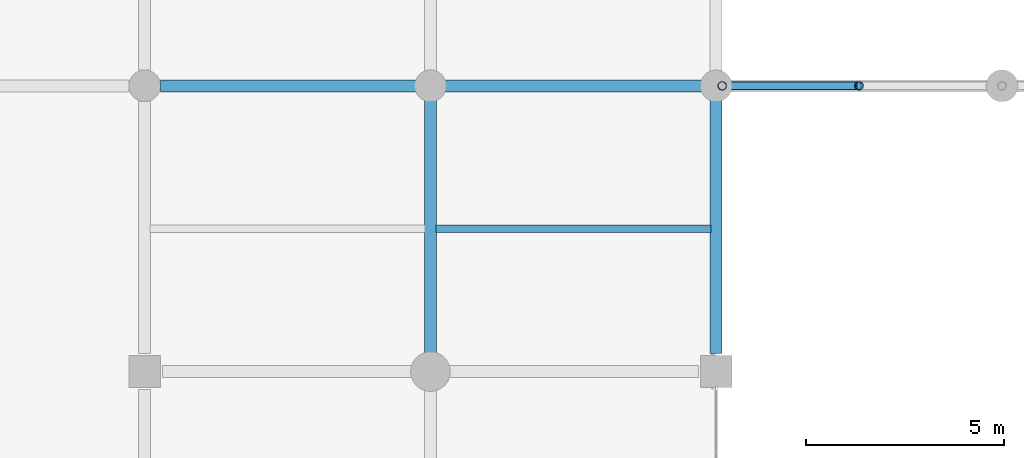
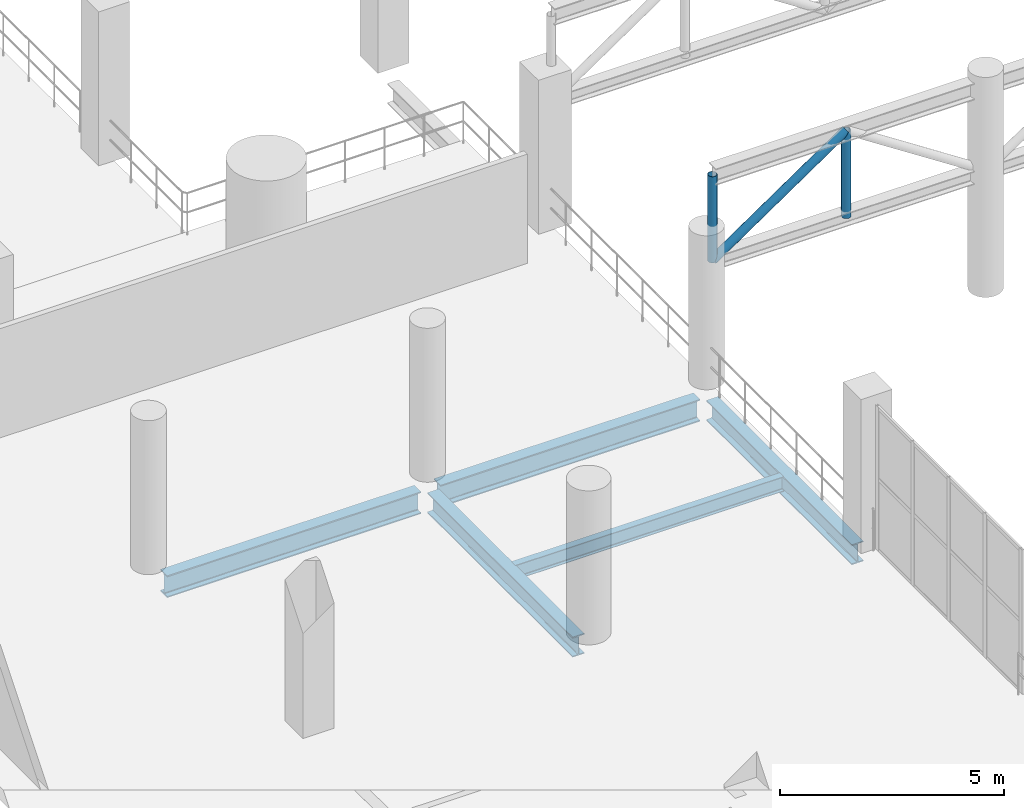
# One storey, part 57 of 153: 5 beams, 3 members.
"""IFC4 building model written with IfcOpenShell, lengths in metres."""

from ifc_helpers import new_model, si_unit, direction, frame, origin, origin_2d, place, context, subcontext, project, spatial, hollow_circle, i_section, extrude, material, material_profile, profile_set, type_object, element, save


model = new_model("IFC4")

# Units and contexts
model_context = context("Model", 3, precision=1e-05, world=origin(), true_north=direction((0.0, 1.0)))
body_context = subcontext(model_context, "Body", "Model", "MODEL_VIEW")
ifc_project = project(units=[si_unit("LENGTHUNIT", "METRE"), si_unit("AREAUNIT", "SQUARE_METRE"), si_unit("VOLUMEUNIT", "CUBIC_METRE"), si_unit("PLANEANGLEUNIT", "RADIAN"), si_unit("MASSUNIT", "GRAM", prefix="KILO")], contexts=[model_context])

# Site, building, storey
site_placement = place(None, origin())
site = spatial("IfcSite", under=ifc_project, at=site_placement, CompositionType="ELEMENT")
building_placement = place(site_placement, origin())
building = spatial("IfcBuilding", under=site, at=building_placement, Name="Qandorah Velis Arena", CompositionType="ELEMENT")
storey_placement = place(building_placement, frame((0.0, 0.0, 5.39990234375)))
storey = spatial("IfcBuildingStorey", under=building, at=storey_placement, Name="L01", CompositionType="ELEMENT", Elevation=5.39990234375)

# Beams
ifc_material = material(Name="Steel S355", Category="steel")
ifc_material_profile_1 = material_profile(ifc_material, i_section(OverallWidth=0.300048828125, OverallDepth=0.550048828125, WebThickness=0.014892578125, FlangeThickness=0.029052734375, FilletRadius=0.027099609375, at=origin_2d()), Name="HEB 550")
ifc_profile_set_1 = profile_set([ifc_material_profile_1], Name="Steel S355")
beam_type_1 = type_object("IfcBeamType", Name="STR-BM-HEB550", PredefinedType="BEAM", material=ifc_profile_set_1)
for number, where, z_axis, x_axis, name in (
    (1, (115.199951171875, 86.85009765625, -0.635009765625), (0.0, 1.0, 0.0), (-1.0, 0.0, 0.0), "Primary floor girder L01 Y-388"),
    (2, (122.39990234375, 86.85009765625, -0.635009765625), (0.0, 1.0, 0.0), (-1.0, 0.0, 0.0), "Primary floor girder L01 Y-398"),
):
    element("IfcBeam", number, at=place(storey_placement, frame(where, z_axis=z_axis, x_axis=x_axis)), inside=storey, type_object=beam_type_1, Name=name, PredefinedType="BEAM", context=body_context, shape_type="SweptSolid", body=[
        extrude(i_section(OverallWidth=0.300048828125, OverallDepth=0.550048828125, WebThickness=0.014892578125, FlangeThickness=0.029052734375, FilletRadius=0.027099609375, at=origin_2d()), origin(), (0.0, 0.0, 1.0), 6.5),
    ])
ifc_material_profile_2 = material_profile(ifc_material, i_section(OverallWidth=0.300048828125, OverallDepth=0.60009765625, WebThickness=0.015380859375, FlangeThickness=0.030029296875, FilletRadius=0.027099609375, at=origin_2d()), Name="HEB 600")
ifc_profile_set_2 = profile_set([ifc_material_profile_2], Name="Steel S355")
beam_type_2 = type_object("IfcBeamType", Name="STR-BM-HEB600", PredefinedType="BEAM", material=ifc_profile_set_2)
beam_1_placement = place(storey_placement, frame((108.39990234375, 93.60009765625, -0.659912109375), z_axis=(1.0, 0.0, 0.0), x_axis=(0.0, 1.0, 0.0)))
element("IfcBeam", 3, at=beam_1_placement, inside=storey, type_object=beam_type_2, Name="Primary floor girder L01 X-142", PredefinedType="BEAM", context=body_context, shape_type="SweptSolid", body=[
    extrude(i_section(OverallWidth=0.300048828125, OverallDepth=0.60009765625, WebThickness=0.015380859375, FlangeThickness=0.030029296875, FilletRadius=0.027099609375, at=origin_2d()), origin(), (0.0, 0.0, 1.0), 6.550048828125),
])
beam_2_placement = place(storey_placement, frame((115.449951171875, 93.60009765625, -0.659912109375), z_axis=(1.0, 0.0, 0.0), x_axis=(0.0, 1.0, 0.0)))
element("IfcBeam", 4, at=beam_2_placement, inside=storey, type_object=beam_type_2, Name="Primary floor girder L01 X-143", PredefinedType="BEAM", context=body_context, shape_type="SweptSolid", body=[
    extrude(i_section(OverallWidth=0.300048828125, OverallDepth=0.60009765625, WebThickness=0.015380859375, FlangeThickness=0.030029296875, FilletRadius=0.027099609375, at=origin_2d()), origin(), (0.0, 0.0, 1.0), 6.699951171875),
])
ifc_material_profile_3 = material_profile(ifc_material, i_section(OverallWidth=0.179931640625, OverallDepth=0.39990234375, WebThickness=0.008544921875, FlangeThickness=0.013427734375, FilletRadius=0.02099609375, at=origin_2d()), Name="IPE 400")
ifc_profile_set_3 = profile_set([ifc_material_profile_3], Name="Steel S355")
beam_type_3 = type_object("IfcBeamType", Name="STR-JST-IPE400", PredefinedType="JOIST", material=ifc_profile_set_3)
beam_3_placement = place(storey_placement, frame((115.3349609375, 90.0, -0.559814453125), z_axis=(1.0, 0.0, 0.0), x_axis=(0.0, 1.0, 0.0)))
element("IfcBeam", 5, at=beam_3_placement, inside=storey, type_object=beam_type_3, Name="Secondary floor joist L01-135", PredefinedType="JOIST", context=body_context, shape_type="SweptSolid", body=[
    extrude(i_section(OverallWidth=0.179931640625, OverallDepth=0.39990234375, WebThickness=0.008544921875, FlangeThickness=0.013427734375, FilletRadius=0.02099609375, at=origin_2d()), origin(), (0.0, 0.0, 1.0), 6.929931640625),
])

# Members
ifc_material_profile_4 = material_profile(ifc_material, hollow_circle(Radius=0.109619140625, WallThickness=0.010009765625, at=origin_2d()), Name="CHS 219.1x10")
ifc_profile_set_4 = profile_set([ifc_material_profile_4], Name="Steel S355")
member_type = type_object("IfcMemberType", Name="STR-SFD-CHS219X10", PredefinedType="STRUT", material=ifc_profile_set_4)
member_1_placement = place(storey_placement, frame((122.550048828125, 93.60009765625, 3.205078125), z_axis=(0.0, 0.0, 1.0), x_axis=(1.0, 0.0, 0.0)))
element("IfcMember", 6, at=member_1_placement, inside=storey, type_object=member_type, Name="Practice court roof truss 1 vertical 1", PredefinedType="STRUT", context=body_context, shape_type="SweptSolid", body=[
    extrude(hollow_circle(Radius=0.109619140625, WallThickness=0.010009765625, at=origin_2d()), origin(), (0.0, 0.0, 1.0), 2.35009765625),
])
member_2_placement = place(storey_placement, frame((122.550048828125, 93.60009765625, 3.205078125), z_axis=(0.826466079645, 0.0, 0.562986517774), x_axis=(0.0, 1.0, 0.0)))
element("IfcMember", 7, at=member_2_placement, inside=storey, type_object=member_type, Name="Practice court roof truss 1 web diagonal 1", PredefinedType="STRUT", context=body_context, shape_type="SweptSolid", body=[
    extrude(hollow_circle(Radius=0.109619140625, WallThickness=0.010009765625, at=origin_2d()), origin(), (0.0, 0.0, 1.0), 4.17431640625),
])
member_3_placement = place(storey_placement, frame((126.0, 93.60009765625, 3.205078125), z_axis=(0.0, 0.0, 1.0), x_axis=(1.0, 0.0, 0.0)))
element("IfcMember", 8, at=member_3_placement, inside=storey, type_object=member_type, Name="Practice court roof truss 1 vertical 2", PredefinedType="STRUT", context=body_context, shape_type="SweptSolid", body=[
    extrude(hollow_circle(Radius=0.109619140625, WallThickness=0.010009765625, at=origin_2d()), origin(), (0.0, 0.0, 1.0), 2.35009765625),
])

save(model, "model.ifc")
